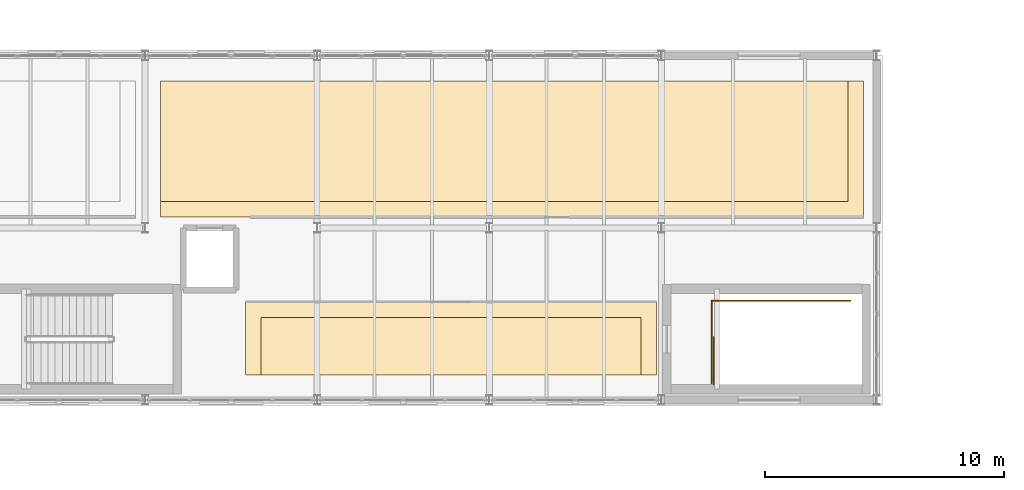
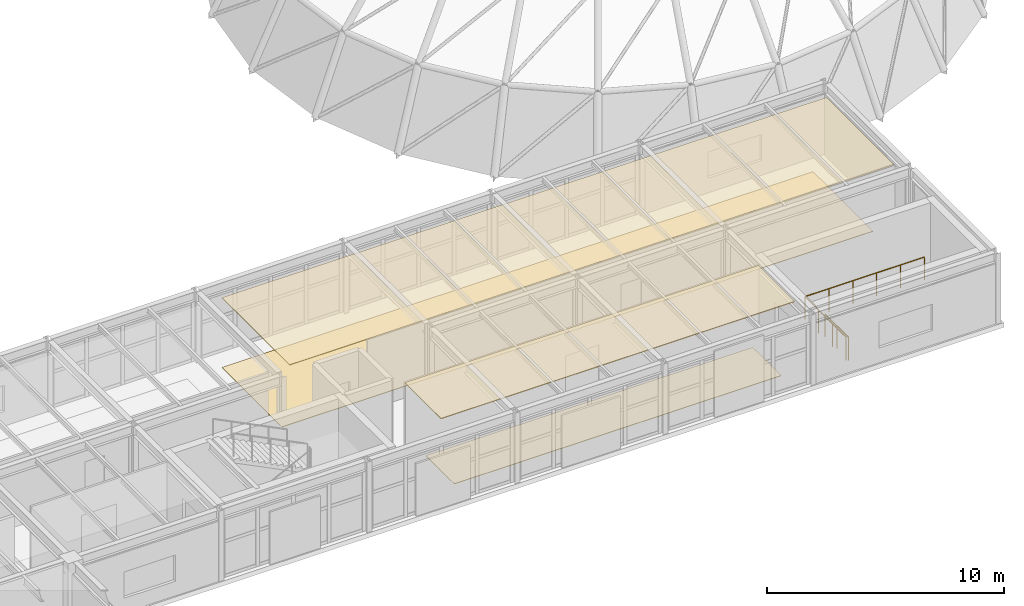
# One storey, part 48 of 48: 4 coverings, 2 railings.
"""IFC4 building model written with IfcOpenShell, lengths in metres."""

from ifc_helpers import new_model, si_unit, direction, frame, origin, origin_2d, place, context, subcontext, project, spatial, polyline, circle, outline, extrude, material, layer, layer_set, type_object, element, save


model = new_model("IFC4")

# Units and contexts
model_context = context("Model", 3, precision=1e-05, world=origin(), true_north=direction((0.0, 1.0)))
body_context = subcontext(model_context, "Body", "Model", "MODEL_VIEW")
ifc_project = project(units=[si_unit("LENGTHUNIT", "METRE"), si_unit("AREAUNIT", "SQUARE_METRE"), si_unit("VOLUMEUNIT", "CUBIC_METRE"), si_unit("PLANEANGLEUNIT", "RADIAN"), si_unit("MASSUNIT", "GRAM", prefix="KILO")], contexts=[model_context])

# Site, building, storey
site_placement = place(None, origin())
site = spatial("IfcSite", under=ifc_project, at=site_placement, CompositionType="ELEMENT")
building_placement = place(site_placement, origin())
building = spatial("IfcBuilding", under=site, at=building_placement, Name="Kandorven Conservatory and Botanical Research Centre", CompositionType="ELEMENT")
storey_placement = place(building_placement, frame((0.0, 0.0, 13.199951171875)))
storey = spatial("IfcBuildingStorey", under=building, at=storey_placement, Name="L03", CompositionType="ELEMENT", Elevation=13.199951171875)

# Coverings
ifc_material_1 = material(Name="Perforated mineral-fibre acoustic ceiling tile", Category="gypsum")
ifc_layer_1 = layer(ifc_material_1, 0.0400390625)
ifc_layer_set_1 = layer_set([ifc_layer_1], Name="Perforated mineral-fibre acoustic ceiling tile")
covering_type_1 = type_object("IfcCoveringType", Name="Cov_Ceiling_1", PredefinedType="CEILING", material=ifc_layer_set_1)
covering_1_placement = place(storey_placement, frame((0.0, 0.0, 3.574951171875)))
element("IfcCovering", 1, at=covering_1_placement, inside=storey, type_object=covering_type_1, Name="Suspended acoustic ceiling CLG-01 (Botanical Reading Library)", PredefinedType="CEILING", context=body_context, shape_type="SweptSolid", body=[
    extrude(outline(polyline([(60.60009765625, 14.25), (77.800048828125, 14.25), (77.800048828125, 17.300048828125), (60.60009765625, 17.300048828125), (60.60009765625, 14.25)])), origin(), (0.0, 0.0, 1.0), 0.0400390625),
])
covering_2_placement = place(storey_placement, frame((0.0, 0.0, 3.574951171875)))
element("IfcCovering", 2, at=covering_2_placement, inside=storey, type_object=covering_type_1, Name="Suspended acoustic ceiling CLG-01 (Botanical Cartography and Illustration Studio)", PredefinedType="CEILING", context=body_context, shape_type="SweptSolid", body=[
    extrude(outline(polyline([(57.050048828125, 20.85009765625), (86.449951171875, 20.85009765625), (86.449951171875, 26.550048828125), (57.050048828125, 26.550048828125), (57.050048828125, 20.85009765625)])), origin(), (0.0, 0.0, 1.0), 0.0400390625),
])
ifc_material_2 = material(Name="Honed Kota stone and epoxy laboratory flooring", Category="masonry")
ifc_layer_2 = layer(ifc_material_2, 0.02490234375)
ifc_layer_set_2 = layer_set([ifc_layer_2], Name="Honed Kota stone and epoxy laboratory flooring")
covering_type_2 = type_object("IfcCoveringType", Name="Cov_Flooring_1", PredefinedType="FLOORING", material=ifc_layer_set_2)
covering_3_placement = place(storey_placement, origin())
element("IfcCovering", 3, at=covering_3_placement, inside=storey, type_object=covering_type_2, Name="Floor finish FLR-01 (Botanical Reading Library)", PredefinedType="FLOORING", context=body_context, shape_type="SweptSolid", body=[
    extrude(outline(polyline([(61.25, 14.25), (77.14990234375, 14.25), (77.14990234375, 16.64990234375), (61.25, 16.64990234375), (61.25, 14.25)])), origin(), (0.0, 0.0, 1.0), 0.025146484375),
])
covering_4_placement = place(storey_placement, origin())
element("IfcCovering", 4, at=covering_4_placement, inside=storey, type_object=covering_type_2, Name="Floor finish FLR-01 (Botanical Cartography and Illustration Studio)", PredefinedType="FLOORING", context=body_context, shape_type="SweptSolid", body=[
    extrude(outline(polyline([(57.050048828125, 21.5), (85.800048828125, 21.5), (85.800048828125, 26.550048828125), (57.050048828125, 26.550048828125), (57.050048828125, 21.5)])), origin(), (0.0, 0.0, 1.0), 0.025146484375),
])

# Railings
ifc_material_3 = material(Name="Steel S355 (IS 2062 E350)", Category="steel")
railing_type_1 = type_object("IfcRailingType", Name="Guard_Terrace", PredefinedType="BALUSTRADE", material=ifc_material_3)
railing_1_placement = place(storey_placement, frame((80.10009765625, 13.89990234375, 0.0)))
element("IfcRailing", 5, at=railing_1_placement, inside=storey, type_object=railing_type_1, Name="Visitor stair ST-V3B L03 top well guard GR-01", PredefinedType="BALUSTRADE", context=body_context, shape_type="SweptSolid", body=[
    extrude(circle(Radius=0.02392578125, at=origin_2d()), frame((0.0, 0.0, 1.17578125), z_axis=(0.0, 1.0, 0.0), x_axis=(-1.0, 0.0, 0.0)), (0.0, 0.0, 1.0), 3.4501953125),
    extrude(circle(Radius=0.02392578125, at=origin_2d()), frame((0.0, 3.4501953125, 1.17578125), z_axis=(1.0, 0.0, 0.0), x_axis=(0.0, 1.0, 0.0)), (0.0, 0.0, 1.0), 5.7998046875),
    extrude(circle(Radius=0.02099609375, at=origin_2d()), origin(), (0.0, 0.0, 1.0), 1.15185546875),
    extrude(circle(Radius=0.02099609375, at=origin_2d()), frame((0.0, 1.150146484375, 0.0)), (0.0, 0.0, 1.0), 1.15185546875),
    extrude(circle(Radius=0.02099609375, at=origin_2d()), frame((0.0, 2.300048828125, 0.0)), (0.0, 0.0, 1.0), 1.15185546875),
    extrude(circle(Radius=0.02099609375, at=origin_2d()), frame((0.0, 3.4501953125, 0.0)), (0.0, 0.0, 1.0), 1.15185546875),
    extrude(circle(Radius=0.02099609375, at=origin_2d()), frame((1.159912109375, 3.4501953125, 0.0)), (0.0, 0.0, 1.0), 1.15185546875),
    extrude(circle(Radius=0.02099609375, at=origin_2d()), frame((2.31982421875, 3.4501953125, 0.0)), (0.0, 0.0, 1.0), 1.15185546875),
    extrude(circle(Radius=0.02099609375, at=origin_2d()), frame((3.47998046875, 3.4501953125, 0.0)), (0.0, 0.0, 1.0), 1.15185546875),
    extrude(circle(Radius=0.02099609375, at=origin_2d()), frame((4.639892578125, 3.4501953125, 0.0)), (0.0, 0.0, 1.0), 1.15185546875),
    extrude(circle(Radius=0.02099609375, at=origin_2d()), frame((5.7998046875, 3.4501953125, 0.0)), (0.0, 0.0, 1.0), 1.15185546875),
])
ifc_material_4 = material(Name="Steel S355 (IS 2062 E350)", Category="steel")
railing_type_2 = type_object("IfcRailingType", Name="StairGuard_1150", PredefinedType="BALUSTRADE", material=ifc_material_4)
railing_2_placement = place(storey_placement, frame((80.18994140625, 13.85009765625, 0.0)))
element("IfcRailing", 6, at=railing_2_placement, inside=storey, type_object=railing_type_2, Name="L03 ST-V3B top well guard 1", PredefinedType="BALUSTRADE", context=body_context, shape_type="SweptSolid", body=[
    extrude(circle(Radius=0.02392578125, at=origin_2d()), frame((0.0, 0.0, 1.17578125), z_axis=(0.0, 1.0, 0.0), x_axis=(-1.0, 0.0, 0.0)), (0.0, 0.0, 1.0), 1.969970703125),
    extrude(circle(Radius=0.02099609375, at=origin_2d()), origin(), (0.0, 0.0, 1.0), 1.15185546875),
    extrude(circle(Radius=0.02099609375, at=origin_2d()), frame((0.0, 0.98486328125, 0.0)), (0.0, 0.0, 1.0), 1.15185546875),
    extrude(circle(Radius=0.02099609375, at=origin_2d()), frame((0.0, 1.969970703125, 0.0)), (0.0, 0.0, 1.0), 1.15185546875),
])

save(model, "model.ifc")
